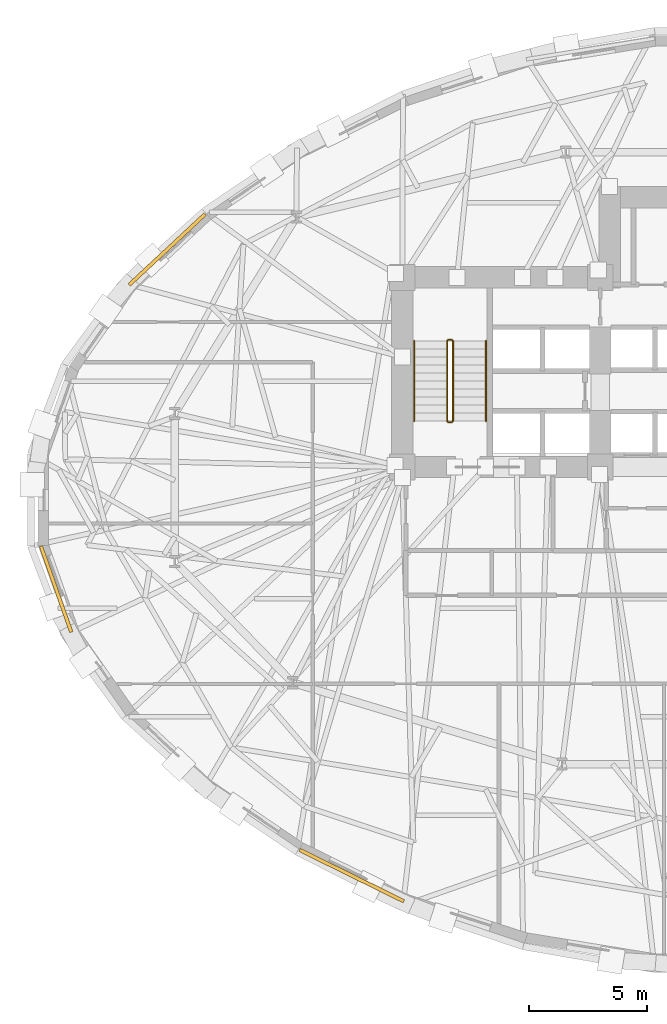
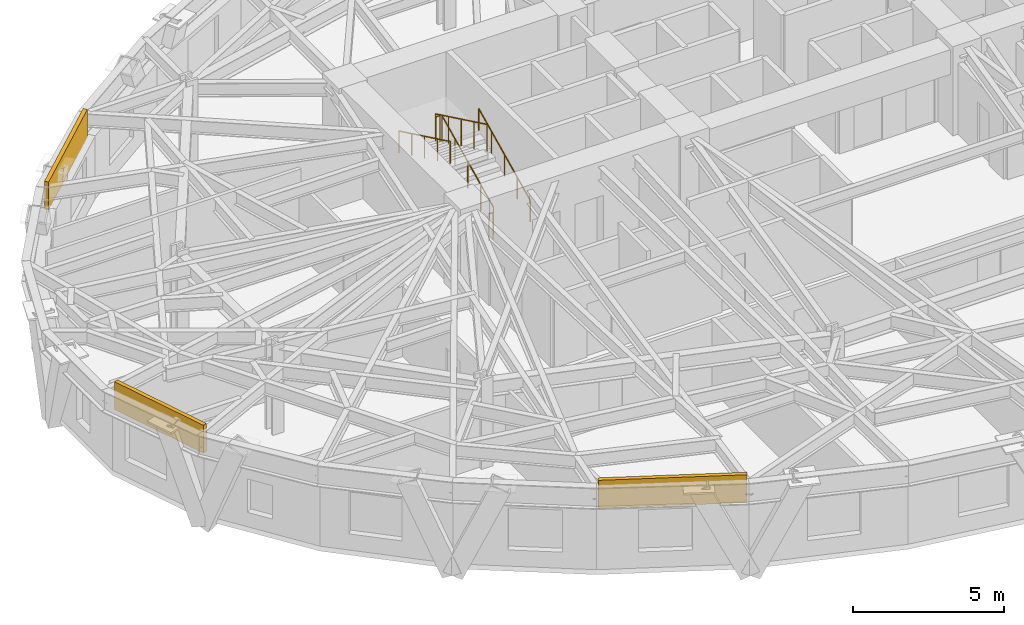
# One storey, part 11 of 14: 6 railings, 3 coverings.
"""IFC4 building model written with IfcOpenShell, lengths in metres."""

from ifc_helpers import new_model, si_unit, direction, frame, origin, origin_2d, place, context, subcontext, project, spatial, rectangle, circle, extrude, material, layer, layer_set, type_object, element, save


model = new_model("IFC4")

# Units and contexts
model_context = context("Model", 3, precision=1e-05, world=origin(), true_north=direction((0.0, 1.0)))
body_context = subcontext(model_context, "Body", "Model", "MODEL_VIEW")
ifc_project = project(units=[si_unit("LENGTHUNIT", "METRE"), si_unit("AREAUNIT", "SQUARE_METRE"), si_unit("VOLUMEUNIT", "CUBIC_METRE"), si_unit("PLANEANGLEUNIT", "RADIAN"), si_unit("MASSUNIT", "GRAM", prefix="KILO")], contexts=[model_context])

# Site, building, storey
site_placement = place(None, origin())
site = spatial("IfcSite", under=ifc_project, at=site_placement, CompositionType="ELEMENT")
building_placement = place(site_placement, origin())
building = spatial("IfcBuilding", under=site, at=building_placement, Name="Keldmark Tower", CompositionType="ELEMENT")
storey_placement = place(building_placement, frame((0.0, 0.0, 59.39990234375)))
storey = spatial("IfcBuildingStorey", under=building, at=storey_placement, Name="L15", CompositionType="ELEMENT", Elevation=59.39990234375)

# Coverings
ifc_material_1 = material(Name="Honed Kasota Buff Dolomitic Limestone", Category="masonry")
ifc_layer = layer(ifc_material_1, 0.074951171875)
ifc_layer_set = layer_set([ifc_layer], Name="Honed Kasota Buff Dolomitic Limestone")
covering_type = type_object("IfcCoveringType", Name="Kasota Buff Limestone Spandrel Cladding Band", PredefinedType="CLADDING", material=ifc_layer_set)
covering_1_placement = place(storey_placement, frame((-23.579833984375, 10.626220703125, 2.453125), z_axis=(0.0, 0.0, 1.0), x_axis=(-0.731341798391, -0.682011124489, 0.0)))
element("IfcCovering", 1, at=covering_1_placement, inside=storey, type_object=covering_type, Name="L15 Kasota Limestone Spandrel Band 13", PredefinedType="CLADDING", context=body_context, shape_type="SweptSolid", body=[
    extrude(rectangle(XDim=4.38818359375, YDim=0.14990234375, at=origin_2d()), origin(), (0.0, 0.0, 1.0), 1.126953125),
])
covering_2_placement = place(storey_placement, frame((-28.289306640625, -3.784912109375, 2.453125), z_axis=(0.0, 0.0, 1.0), x_axis=(0.333280336873, -0.942827776985, 0.0)))
element("IfcCovering", 2, at=covering_2_placement, inside=storey, type_object=covering_type, Name="L15 Kasota Limestone Spandrel Band 17", PredefinedType="CLADDING", context=body_context, shape_type="SweptSolid", body=[
    extrude(rectangle(XDim=3.870361328125, YDim=0.14990234375, at=origin_2d()), origin(), (0.0, 0.0, 1.0), 1.126953125),
])
covering_3_placement = place(storey_placement, frame((-15.743896484375, -15.9384765625, 2.453125), z_axis=(0.0, 0.0, 1.0), x_axis=(0.896965354588, -0.442100839932, 0.0)))
element("IfcCovering", 3, at=covering_3_placement, inside=storey, type_object=covering_type, Name="L15 Kasota Limestone Spandrel Band 21", PredefinedType="CLADDING", context=body_context, shape_type="SweptSolid", body=[
    extrude(rectangle(XDim=4.93603515625, YDim=0.14990234375, at=origin_2d()), origin(), (0.0, 0.0, 1.0), 1.126953125),
])

# Railings
ifc_material_2 = material(Name="Painted Steel ASTM A500 Grade B", Category="steel")
railing_type_1 = type_object("IfcRailingType", Name="Painted Steel Stair Well Guard 1100 mm", PredefinedType="GUARDRAIL", material=ifc_material_2)
railing_1_placement = place(storey_placement, frame((-11.449951171875, 3.35009765625, 0.163818359375)))
element("IfcRailing", 4, at=railing_1_placement, inside=storey, type_object=railing_type_1, Name="L15 ST1 stair guard 1", PredefinedType="GUARDRAIL", context=body_context, shape_type="SweptSolid", body=[
    extrude(circle(Radius=0.02392578125, at=origin_2d()), frame((0.0, 0.0, 1.076171875), z_axis=(0.0, 0.901080338394, 0.433652192153), x_axis=(-1.0, 0.0, 0.0)), (0.0, 0.0, 1.0), 3.773193359375),
    extrude(circle(Radius=0.02099609375, at=origin_2d()), origin(), (0.0, 0.0, 1.0), 1.052001953125),
    extrude(circle(Radius=0.02099609375, at=origin_2d()), frame((0.0, 0.85009765625, 0.4091796875)), (0.0, 0.0, 1.0), 1.052001953125),
    extrude(circle(Radius=0.02099609375, at=origin_2d()), frame((0.0, 1.699951171875, 0.818115234375)), (0.0, 0.0, 1.0), 1.052001953125),
    extrude(circle(Radius=0.02099609375, at=origin_2d()), frame((0.0, 2.5498046875, 1.22705078125)), (0.0, 0.0, 1.0), 1.052001953125),
    extrude(circle(Radius=0.02099609375, at=origin_2d()), frame((0.0, 3.39990234375, 1.63623046875)), (0.0, 0.0, 1.0), 1.052001953125),
])
railing_2_placement = place(storey_placement, frame((-11.5, 6.800048828125, 1.800048828125)))
element("IfcRailing", 5, at=railing_2_placement, inside=storey, type_object=railing_type_1, Name="L15 ST1 stair guard 2", PredefinedType="GUARDRAIL", context=body_context, shape_type="SweptSolid", body=[
    extrude(circle(Radius=0.02392578125, at=origin_2d()), frame((0.0, 0.0, 1.076171875), z_axis=(-1.0, 0.0, 0.0), x_axis=(0.0, -1.0, 0.0)), (0.0, 0.0, 1.0), 0.14990234375),
    extrude(circle(Radius=0.02099609375, at=origin_2d()), origin(), (0.0, 0.0, 1.0), 1.052001953125),
    extrude(circle(Radius=0.02099609375, at=origin_2d()), frame((-0.14990234375, 0.0, 0.0)), (0.0, 0.0, 1.0), 1.052001953125),
])
railing_3_placement = place(storey_placement, frame((-11.699951171875, 6.75, 1.963623046875)))
element("IfcRailing", 6, at=railing_3_placement, inside=storey, type_object=railing_type_1, Name="L15 ST1 stair guard 3", PredefinedType="GUARDRAIL", context=body_context, shape_type="SweptSolid", body=[
    extrude(circle(Radius=0.02392578125, at=origin_2d()), frame((0.0, 0.0, 1.076171875), z_axis=(0.0, -0.901055053782, 0.433704726806), x_axis=(1.0, 0.0, 0.0)), (0.0, 0.0, 1.0), 3.773193359375),
    extrude(circle(Radius=0.02099609375, at=origin_2d()), origin(), (0.0, 0.0, 1.0), 1.052001953125),
    extrude(circle(Radius=0.02099609375, at=origin_2d()), frame((0.0, -0.85009765625, 0.4091796875)), (0.0, 0.0, 1.0), 1.052001953125),
    extrude(circle(Radius=0.02099609375, at=origin_2d()), frame((0.0, -1.699951171875, 0.818359375)), (0.0, 0.0, 1.0), 1.052001953125),
    extrude(circle(Radius=0.02099609375, at=origin_2d()), frame((0.0, -2.5498046875, 1.227294921875)), (0.0, 0.0, 1.0), 1.052001953125),
    extrude(circle(Radius=0.02099609375, at=origin_2d()), frame((0.0, -3.39990234375, 1.636474609375)), (0.0, 0.0, 1.0), 1.052001953125),
])
railing_4_placement = place(storey_placement, frame((-11.5, 3.300048828125, 0.0)))
element("IfcRailing", 7, at=railing_4_placement, inside=storey, type_object=railing_type_1, Name="L15 ST1 stair guard 4", PredefinedType="GUARDRAIL", context=body_context, shape_type="SweptSolid", body=[
    extrude(circle(Radius=0.02392578125, at=origin_2d()), frame((0.0, 0.0, 1.076171875), z_axis=(-1.0, 0.0, 0.0), x_axis=(0.0, -1.0, 0.0)), (0.0, 0.0, 1.0), 0.14990234375),
    extrude(circle(Radius=0.02099609375, at=origin_2d()), origin(), (0.0, 0.0, 1.0), 1.052001953125),
    extrude(circle(Radius=0.02099609375, at=origin_2d()), frame((-0.14990234375, 0.0, 0.0)), (0.0, 0.0, 1.0), 1.052001953125),
])
ifc_material_3 = material(Name="Stainless Steel AISI 316L", Category="steel")
railing_type_2 = type_object("IfcRailingType", Name="Stainless Steel Stair Handrail 900 mm", PredefinedType="HANDRAIL", material=ifc_material_3)
railing_5_placement = place(storey_placement, frame((-10.050048828125, 3.35009765625, 0.163818359375)))
element("IfcRailing", 8, at=railing_5_placement, inside=storey, type_object=railing_type_2, Name="L15 ST1 stair handrail 1", PredefinedType="HANDRAIL", context=body_context, shape_type="SweptSolid", body=[
    extrude(circle(Radius=0.02392578125, at=origin_2d()), frame((0.0, 0.0, 0.8759765625), z_axis=(0.0, 0.901080338394, 0.433652192153), x_axis=(-1.0, 0.0, 0.0)), (0.0, 0.0, 1.0), 3.773193359375),
    extrude(circle(Radius=0.02099609375, at=origin_2d()), origin(), (0.0, 0.0, 1.0), 0.851806640625),
    extrude(circle(Radius=0.02099609375, at=origin_2d()), frame((0.0, 0.85009765625, 0.4091796875)), (0.0, 0.0, 1.0), 0.851806640625),
    extrude(circle(Radius=0.02099609375, at=origin_2d()), frame((0.0, 1.699951171875, 0.818115234375)), (0.0, 0.0, 1.0), 0.851806640625),
    extrude(circle(Radius=0.02099609375, at=origin_2d()), frame((0.0, 2.5498046875, 1.22705078125)), (0.0, 0.0, 1.0), 0.851806640625),
    extrude(circle(Radius=0.02099609375, at=origin_2d()), frame((0.0, 3.39990234375, 1.63623046875)), (0.0, 0.0, 1.0), 0.851806640625),
])
railing_6_placement = place(storey_placement, frame((-13.10009765625, 6.75, 1.963623046875)))
element("IfcRailing", 9, at=railing_6_placement, inside=storey, type_object=railing_type_2, Name="L15 ST1 stair handrail 2", PredefinedType="HANDRAIL", context=body_context, shape_type="SweptSolid", body=[
    extrude(circle(Radius=0.02392578125, at=origin_2d()), frame((0.0, 0.0, 0.8759765625), z_axis=(0.0, -0.901055053782, 0.433704726806), x_axis=(1.0, 0.0, 0.0)), (0.0, 0.0, 1.0), 3.773193359375),
    extrude(circle(Radius=0.02099609375, at=origin_2d()), origin(), (0.0, 0.0, 1.0), 0.851806640625),
    extrude(circle(Radius=0.02099609375, at=origin_2d()), frame((0.0, -0.85009765625, 0.4091796875)), (0.0, 0.0, 1.0), 0.851806640625),
    extrude(circle(Radius=0.02099609375, at=origin_2d()), frame((0.0, -1.699951171875, 0.818359375)), (0.0, 0.0, 1.0), 0.851806640625),
    extrude(circle(Radius=0.02099609375, at=origin_2d()), frame((0.0, -2.5498046875, 1.227294921875)), (0.0, 0.0, 1.0), 0.851806640625),
    extrude(circle(Radius=0.02099609375, at=origin_2d()), frame((0.0, -3.39990234375, 1.636474609375)), (0.0, 0.0, 1.0), 0.851806640625),
])

save(model, "model.ifc")
